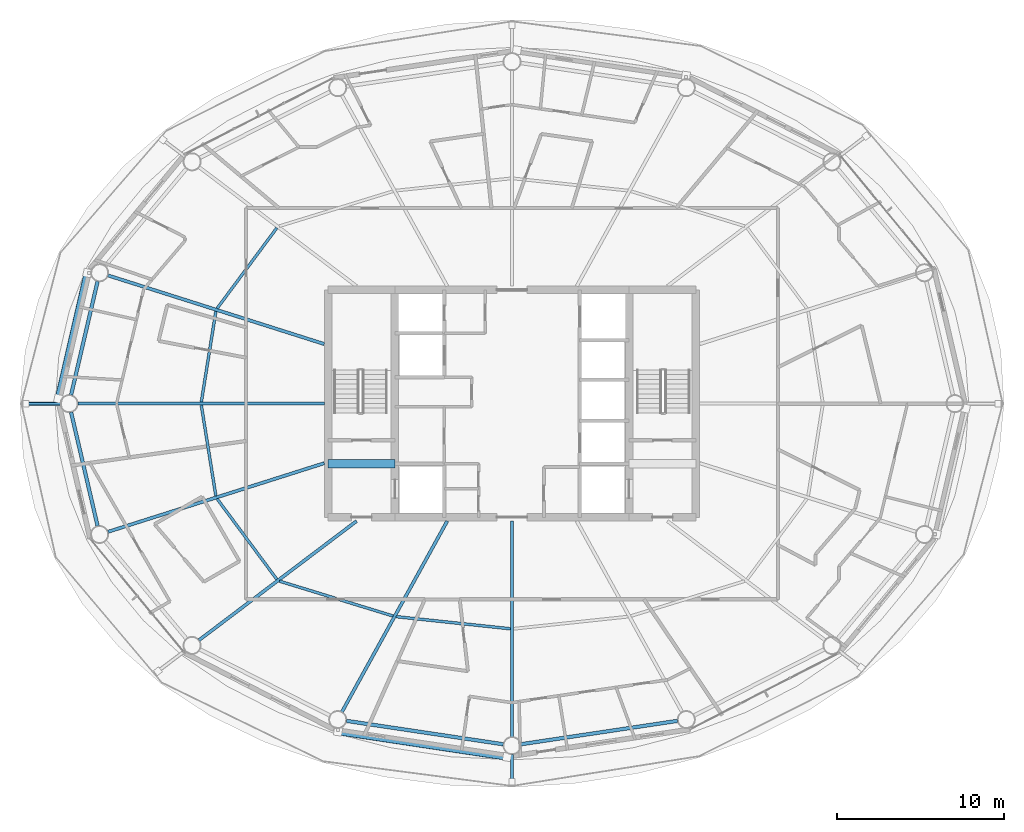
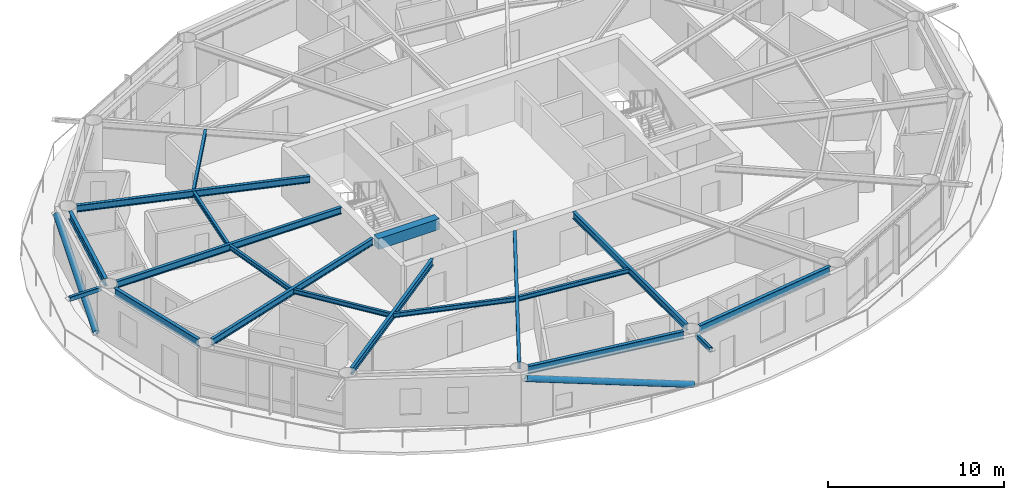
# One storey, part 4 of 28: 17 beams, 4 members.
"""IFC4 building model written with IfcOpenShell, lengths in metres."""

import ifcopenshell
import ifcopenshell.guid

model = None  # the IFC model being written
_history = None  # IfcOwnerHistory: only IFC2X3 demands one
_inside = {}  # id of a spatial element -> (the spatial element, [elements in it])
_under = {}  # id of a project, library or spatial element -> (it, [spatial elements below it])
_declared = {}  # id of a project -> (the project, [libraries it declares])
_typed = {}  # id of a type object -> (the type object, [elements of that type])
_made_of = {}  # id of a material, layer set ... -> (it, [elements and type objects made of it])


def new_model(schema):
    """Start an empty IFC model of exactly this schema.

    Asked for "IFC4X3", IfcOpenShell would pick the latest addendum, in which some entities
    have other attributes; the version numbers below select the first issue.
    IFC2X3 requires an IfcOwnerHistory on every rooted entity: one is made here for all.
    """
    global model, _history
    if schema == "IFC4X3":
        model = ifcopenshell.file(schema_version=(4, 3, 0, 0))
    else:
        model = ifcopenshell.file(schema=schema)
    _inside.clear()
    _under.clear()
    _declared.clear()
    _typed.clear()
    _made_of.clear()
    _history = None
    if model.schema == "IFC2X3":
        org = make("IfcOrganization", Name="unknown")
        user = make(
            "IfcPersonAndOrganization",
            ThePerson=make("IfcPerson", FamilyName="unknown"),
            TheOrganization=org,
        )
        app = make(
            "IfcApplication",
            ApplicationDeveloper=org,
            Version="unknown",
            ApplicationFullName="unknown",
            ApplicationIdentifier="unknown",
        )
        _history = make(
            "IfcOwnerHistory",
            OwningUser=user,
            OwningApplication=app,
            ChangeAction="ADDED",
            CreationDate=0,
        )
    return model


def make(cls, **values):
    """One entity of the class cls with the attributes given. An attribute that is None is left unset."""
    return model.create_entity(
        cls, **{name: value for name, value in values.items() if value is not None}
    )


def rooted(cls, **values):
    """An entity with a GlobalId (a new one), such as an element, a storey or a relation."""
    return make(cls, GlobalId=ifcopenshell.guid.new(), OwnerHistory=_history, **values)


def si_unit(unit_type, name, prefix=None):
    """IfcSIUnit, for example si_unit("LENGTHUNIT", "METRE", prefix="MILLI")."""
    return make("IfcSIUnit", UnitType=unit_type, Prefix=prefix, Name=name)


def assignment(units):
    """IfcUnitAssignment: the units of a project."""
    return None if units is None else make("IfcUnitAssignment", Units=units)


def point(xyz):
    """IfcCartesianPoint."""
    return None if xyz is None else make("IfcCartesianPoint", Coordinates=xyz)


def direction(xyz):
    """IfcDirection."""
    return None if xyz is None else make("IfcDirection", DirectionRatios=xyz)


def frame(location, z_axis=None, x_axis=None):
    """IfcAxis2Placement3D, a coordinate frame: its origin and axes. An axis left out is left unset."""
    return make(
        "IfcAxis2Placement3D",
        Location=point(location),
        Axis=direction(z_axis),
        RefDirection=direction(x_axis),
    )


def frame_2d(location, x_axis=None):
    """IfcAxis2Placement2D, a coordinate frame in the plane: its origin and x axis."""
    return make(
        "IfcAxis2Placement2D", Location=point(location), RefDirection=direction(x_axis)
    )


def origin():
    """The frame at (0, 0, 0) with its axes left unset."""
    return frame((0.0, 0.0, 0.0))


def origin_2d():
    """The frame at (0, 0) in the plane with its x axis left unset."""
    return frame_2d((0.0, 0.0))


def place(relative_to, where):
    """IfcLocalPlacement: puts the frame where relative to a parent placement (None: the world)."""
    return make(
        "IfcLocalPlacement", PlacementRelTo=relative_to, RelativePlacement=where
    )


def context(
    kind, dimensions, precision=None, world=None, true_north=None, identifier=None
):
    """IfcGeometricRepresentationContext, for example the 3D "Model" context."""
    return make(
        "IfcGeometricRepresentationContext",
        ContextIdentifier=identifier,
        ContextType=kind,
        CoordinateSpaceDimension=dimensions,
        Precision=precision,
        WorldCoordinateSystem=world,
        TrueNorth=true_north,
    )


def subcontext(parent, identifier, kind, view, scale=None):
    """IfcGeometricRepresentationSubContext, for example "Body" below "Model"."""
    return make(
        "IfcGeometricRepresentationSubContext",
        ContextIdentifier=identifier,
        ContextType=kind,
        ParentContext=parent,
        TargetScale=scale,
        TargetView=view,
    )


def project(units=None, contexts=None):
    """IfcProject with its units and contexts."""
    return rooted(
        "IfcProject",
        Name="project",
        RepresentationContexts=contexts,
        UnitsInContext=assignment(units),
    )


def spatial(cls, under=None, at=None, **own):
    """A site, building, storey or space (cls), placed at a placement, below another one or the project."""
    s = rooted(cls, ObjectPlacement=at, **own)
    if under is not None:
        _under.setdefault(under.id(), (under, []))[1].append(s)
    return s


def profile(cls, at=None, kind="AREA", **sizes):
    """A parametric profile (cls). Its sizes go by their IFC names, for example OverallWidth=200.0."""
    return make(cls, ProfileType=kind, Position=at, **sizes)


def rectangle(**sizes):
    """IfcRectangleProfileDef."""
    return profile("IfcRectangleProfileDef", **sizes)


def hollow_rectangle(**sizes):
    """IfcRectangleHollowProfileDef."""
    return profile("IfcRectangleHollowProfileDef", **sizes)


def hollow_circle(**sizes):
    """IfcCircleHollowProfileDef."""
    return profile("IfcCircleHollowProfileDef", **sizes)


def i_section(**sizes):
    """IfcIShapeProfileDef."""
    return profile("IfcIShapeProfileDef", **sizes)


def extrude(swept, where, along, depth):
    """IfcExtrudedAreaSolid: the profile swept, set in the frame where, extruded along a direction by depth."""
    return make(
        "IfcExtrudedAreaSolid",
        SweptArea=swept,
        Position=where,
        ExtrudedDirection=direction(along),
        Depth=depth,
    )


def shape(context_of_items, identifier, shape_type, items):
    """IfcShapeRepresentation: the items that make up one representation, for example the "Body"."""
    return make(
        "IfcShapeRepresentation",
        ContextOfItems=context_of_items,
        RepresentationIdentifier=identifier,
        RepresentationType=shape_type,
        Items=items,
    )


def material(Name=None, Category=None):
    """IfcMaterial."""
    return make("IfcMaterial", Name=Name, Category=Category)


def material_profile(
    of_material, cross_section, Name=None, Category=None, Priority=None
):
    """IfcMaterialProfile: a cross section and its material."""
    return make(
        "IfcMaterialProfile",
        Name=Name,
        Material=of_material,
        Profile=cross_section,
        Priority=Priority,
        Category=Category,
    )


def profile_set(profiles, Name=None, composite=None):
    """IfcMaterialProfileSet."""
    return make(
        "IfcMaterialProfileSet",
        Name=Name,
        MaterialProfiles=profiles,
        CompositeProfile=composite,
    )


def made_of(thing, what):
    """Note that an element or type object is made of a material, layer set ...; save() writes the relation."""
    if what is not None:
        _made_of.setdefault(what.id(), (what, []))[1].append(thing)
    return thing


def type_object(cls, material=None, **own):
    """A type object (cls), such as IfcWallType, which elements share."""
    return made_of(rooted(cls, **own), material)


def element(
    cls,
    number,
    at=None,
    inside=None,
    cuts=None,
    type_object=None,
    material=None,
    context=None,
    identifier="Body",
    shape_type=None,
    held_by="IfcProductDefinitionShape",
    body=None,
    shapes=None,
    **own,
):
    """One element of the class cls, such as IfcWall. Its Tag is "e" and its number.

    at: its placement. inside: the storey or other place that contains it. cuts: it is an
    opening in that element (IfcRelVoidsElement). A single representation is given by context,
    identifier, shape_type and body (its items); several are given by shapes. held_by: the class
    of the entity that holds the representations. save() writes the other relations.
    """
    e = rooted(cls, Tag="e%d" % number, ObjectPlacement=at, **own)
    if body is not None:
        shapes = [shape(context, identifier, shape_type, body)]
    if shapes is not None:
        e.Representation = make(held_by, Representations=shapes)
    if inside is not None:
        _inside.setdefault(inside.id(), (inside, []))[1].append(e)
    if cuts is not None:
        rooted(
            "IfcRelVoidsElement", RelatingBuildingElement=cuts, RelatedOpeningElement=e
        )
    if type_object is not None:
        _typed.setdefault(type_object.id(), (type_object, []))[1].append(e)
    return made_of(e, material)


def aggregate(whole, parts):
    """IfcRelAggregates: a whole, such as a stair, and the parts it consists of."""
    return rooted("IfcRelAggregates", RelatingObject=whole, RelatedObjects=parts)


def save(model, path):
    """Write the relations noted so far, then the file.

    IfcRelAggregates (storeys below a building ...), IfcRelContainedInSpatialStructure (elements
    in a storey), IfcRelDefinesByType, IfcRelAssociatesMaterial and IfcRelDeclares: one each for
    every whole, place, type object, material and project.
    """
    for whole, parts in _under.values():
        aggregate(whole, parts)
    for where, things in _inside.values():
        rooted(
            "IfcRelContainedInSpatialStructure",
            RelatedElements=things,
            RelatingStructure=where,
        )
    for kind, things in _typed.values():
        rooted("IfcRelDefinesByType", RelatedObjects=things, RelatingType=kind)
    for what, things in _made_of.values():
        rooted("IfcRelAssociatesMaterial", RelatedObjects=things, RelatingMaterial=what)
    for by, libraries in _declared.values():
        rooted("IfcRelDeclares", RelatingContext=by, RelatedDefinitions=libraries)
    model.write(path)


model = new_model("IFC4")

# Units and contexts
model_context = context("Model", 3, precision=1e-05, world=origin(), true_north=direction((0.0, 1.0)))
body_context = subcontext(model_context, "Body", "Model", "MODEL_VIEW")
ifc_project = project(units=[si_unit("LENGTHUNIT", "METRE"), si_unit("AREAUNIT", "SQUARE_METRE"), si_unit("VOLUMEUNIT", "CUBIC_METRE"), si_unit("PLANEANGLEUNIT", "RADIAN"), si_unit("MASSUNIT", "GRAM", prefix="KILO")], contexts=[model_context])

# Site, building, storey
site_placement = place(None, origin())
site = spatial("IfcSite", under=ifc_project, at=site_placement, CompositionType="ELEMENT")
building_placement = place(site_placement, origin())
building = spatial("IfcBuilding", under=site, at=building_placement, Name="Sarneth Arch Tower", CompositionType="ELEMENT")
storey_placement = place(building_placement, frame((0.0, 0.0, 172.199951171875)))
storey = spatial("IfcBuildingStorey", under=building, at=storey_placement, Name="L43", CompositionType="ELEMENT", Elevation=172.199951171875)

# Beams
ifc_material_1 = material(Name="Steel S355", Category="steel")
ifc_material_profile_1 = material_profile(ifc_material_1, i_section(OverallWidth=0.1669921875, OverallDepth=0.31689453125, WebThickness=0.007568359375, FlangeThickness=0.01318359375, FilletRadius=0.012939453125, at=origin_2d()), Name="W310x52")
ifc_profile_set_1 = profile_set([ifc_material_profile_1], Name="Steel S355")
beam_type_1 = type_object("IfcBeamType", Name="BM-JOIST-310B", PredefinedType="JOIST", material=ifc_profile_set_1)
beam_1_placement = place(storey_placement, frame((33.937255859375, 52.5068359375, 3.221435546875), z_axis=(-0.595933334016, -0.803033910497, 0.0), x_axis=(0.803033910497, -0.595933334016, 0.0)))
element("IfcBeam", 1, at=beam_1_placement, inside=storey, type_object=beam_type_1, Name="L43 Secondary floor joist 07", PredefinedType="JOIST", context=body_context, shape_type="SweptSolid", body=[
    extrude(i_section(OverallWidth=0.1669921875, OverallDepth=0.31689453125, WebThickness=0.007568359375, FlangeThickness=0.01318359375, FilletRadius=0.012939453125, at=origin_2d()), origin(), (0.0, 0.0, 1.0), 5.99560546875),
])
for number, where, z_axis, x_axis, name in (
    (2, (30.291259765625, 47.519287109375, 3.221435546875), (-0.158262632389, -0.987397052451, 0.0), (0.987397052451, -0.158262632389, 0.0), "L43 Secondary floor joist 08"),
    (3, (29.421875, 41.90478515625, 3.221435546875), (0.158262632389, -0.987397052451, 0.0), (0.987397052451, 0.158262632389, 0.0), "L43 Secondary floor joist 09"),
):
    element("IfcBeam", number, at=place(storey_placement, frame(where, z_axis=z_axis, x_axis=x_axis)), inside=storey, type_object=beam_type_1, Name=name, PredefinedType="JOIST", context=body_context, shape_type="SweptSolid", body=[
        extrude(i_section(OverallWidth=0.1669921875, OverallDepth=0.31689453125, WebThickness=0.007568359375, FlangeThickness=0.01318359375, FilletRadius=0.012939453125, at=origin_2d()), origin(), (0.0, 0.0, 1.0), 5.493408203125),
    ])
beam_2_placement = place(storey_placement, frame((30.3642578125, 36.307861328125, 3.221435546875), z_axis=(0.595933334016, -0.803033910497, 0.0), x_axis=(0.803033910497, 0.595933334016, 0.0)))
element("IfcBeam", 4, at=beam_2_placement, inside=storey, type_object=beam_type_1, Name="L43 Secondary floor joist 10", PredefinedType="JOIST", context=body_context, shape_type="SweptSolid", body=[
    extrude(i_section(OverallWidth=0.1669921875, OverallDepth=0.31689453125, WebThickness=0.007568359375, FlangeThickness=0.01318359375, FilletRadius=0.012939453125, at=origin_2d()), origin(), (0.0, 0.0, 1.0), 5.99560546875),
])
beam_3_placement = place(storey_placement, frame((34.087158203125, 31.38720703125, 3.221435546875), z_axis=(0.955929549608, -0.293596144707, 0.0), x_axis=(0.293596144707, 0.955929549608, 0.0)))
element("IfcBeam", 5, at=beam_3_placement, inside=storey, type_object=beam_type_1, Name="L43 Secondary floor joist 11", PredefinedType="JOIST", context=body_context, shape_type="SweptSolid", body=[
    extrude(i_section(OverallWidth=0.1669921875, OverallDepth=0.31689453125, WebThickness=0.007568359375, FlangeThickness=0.01318359375, FilletRadius=0.012939453125, at=origin_2d()), origin(), (0.0, 0.0, 1.0), 7.1123046875),
])
beam_4_placement = place(storey_placement, frame((41.07421875, 29.260498046875, 3.221435546875), z_axis=(0.994407831942, -0.105608066799, 0.0), x_axis=(0.105608066799, 0.994407831942, 0.0)))
element("IfcBeam", 6, at=beam_4_placement, inside=storey, type_object=beam_type_1, Name="L43 Secondary floor joist 12", PredefinedType="JOIST", context=body_context, shape_type="SweptSolid", body=[
    extrude(i_section(OverallWidth=0.1669921875, OverallDepth=0.31689453125, WebThickness=0.007568359375, FlangeThickness=0.01318359375, FilletRadius=0.012939453125, at=origin_2d()), origin(), (0.0, 0.0, 1.0), 6.8681640625),
])
ifc_material_2 = material(Name="Concrete C50/60", Category="concrete")
ifc_material_profile_2 = material_profile(ifc_material_2, rectangle(XDim=0.5, YDim=0.75, at=origin_2d()), Name="RC-500x750")
ifc_profile_set_2 = profile_set([ifc_material_profile_2], Name="Concrete C50/60")
beam_type_2 = type_object("IfcBeamType", Name="BM-LINTEL-RC", PredefinedType="LINTEL", material=ifc_profile_set_2)
beam_5_placement = place(storey_placement, frame((37.0, 38.39990234375, 3.005126953125), z_axis=(1.0, 0.0, 0.0), x_axis=(0.0, 1.0, 0.0)))
element("IfcBeam", 7, at=beam_5_placement, inside=storey, type_object=beam_type_2, Name="L43 Core coupling lintel W", PredefinedType="LINTEL", context=body_context, shape_type="SweptSolid", body=[
    extrude(rectangle(XDim=0.5, YDim=0.75, at=origin_2d()), origin(), (0.0, 0.0, 1.0), 4.0),
])
ifc_material_3 = material(Name="Steel S355", Category="steel")
ifc_material_profile_3 = material_profile(ifc_material_3, i_section(OverallWidth=0.193115234375, OverallDepth=0.466064453125, WebThickness=0.011474609375, FlangeThickness=0.01904296875, FilletRadius=0.01806640625, at=origin_2d()), Name="W460x97")
ifc_profile_set_3 = profile_set([ifc_material_profile_3], Name="Steel S355")
beam_type_3 = type_object("IfcBeamType", Name="BM-RAD-460C", PredefinedType="BEAM", material=ifc_profile_set_3)
beam_6_placement = place(storey_placement, frame((36.77490234375, 45.56201171875, 3.14697265625), z_axis=(-0.953163620049, 0.302455142815, 0.0), x_axis=(-0.302455142815, -0.953163620049, 0.0)))
element("IfcBeam", 8, at=beam_6_placement, inside=storey, type_object=beam_type_3, Name="L43 Radial floor girder 08", PredefinedType="BEAM", context=body_context, shape_type="SweptSolid", body=[
    extrude(i_section(OverallWidth=0.193115234375, OverallDepth=0.466064453125, WebThickness=0.011474609375, FlangeThickness=0.01904296875, FilletRadius=0.01806640625, at=origin_2d()), origin(), (0.0, 0.0, 1.0), 13.572265625),
])
beam_7_placement = place(storey_placement, frame((36.77490234375, 42.0, 3.14697265625), z_axis=(-1.0, 0.0, 0.0), x_axis=(0.0, -1.0, 0.0)))
element("IfcBeam", 9, at=beam_7_placement, inside=storey, type_object=beam_type_3, Name="L43 Radial floor girder 09", PredefinedType="BEAM", context=body_context, shape_type="SweptSolid", body=[
    extrude(i_section(OverallWidth=0.193115234375, OverallDepth=0.466064453125, WebThickness=0.011474609375, FlangeThickness=0.01904296875, FilletRadius=0.01806640625, at=origin_2d()), origin(), (0.0, 0.0, 1.0), 14.73681640625),
])
beam_8_placement = place(storey_placement, frame((36.77490234375, 38.43798828125, 3.14697265625), z_axis=(-0.953163620049, -0.302455142815, 0.0), x_axis=(0.302455142815, -0.953163620049, 0.0)))
element("IfcBeam", 10, at=beam_8_placement, inside=storey, type_object=beam_type_3, Name="L43 Radial floor girder 10", PredefinedType="BEAM", context=body_context, shape_type="SweptSolid", body=[
    extrude(i_section(OverallWidth=0.193115234375, OverallDepth=0.466064453125, WebThickness=0.011474609375, FlangeThickness=0.01904296875, FilletRadius=0.01806640625, at=origin_2d()), origin(), (0.0, 0.0, 1.0), 13.572265625),
])
beam_9_placement = place(storey_placement, frame((38.70458984375, 34.97509765625, 3.14697265625), z_axis=(-0.797786205076, -0.602940437349, 0.0), x_axis=(0.602940437349, -0.797786205076, 0.0)))
element("IfcBeam", 11, at=beam_9_placement, inside=storey, type_object=beam_type_3, Name="L43 Radial floor girder 11", PredefinedType="BEAM", context=body_context, shape_type="SweptSolid", body=[
    extrude(i_section(OverallWidth=0.193115234375, OverallDepth=0.466064453125, WebThickness=0.011474609375, FlangeThickness=0.01904296875, FilletRadius=0.01806640625, at=origin_2d()), origin(), (0.0, 0.0, 1.0), 11.806884765625),
])
beam_10_placement = place(storey_placement, frame((44.125, 34.97509765625, 3.14697265625), z_axis=(-0.483004525121, -0.87561785541, 0.0), x_axis=(0.87561785541, -0.483004525121, 0.0)))
element("IfcBeam", 12, at=beam_10_placement, inside=storey, type_object=beam_type_3, Name="L43 Radial floor girder 12", PredefinedType="BEAM", context=body_context, shape_type="SweptSolid", body=[
    extrude(i_section(OverallWidth=0.193115234375, OverallDepth=0.466064453125, WebThickness=0.011474609375, FlangeThickness=0.01904296875, FilletRadius=0.01806640625, at=origin_2d()), origin(), (0.0, 0.0, 1.0), 13.029296875),
])
beam_11_placement = place(storey_placement, frame((48.0, 34.97509765625, 3.14697265625), z_axis=(0.0, -1.0, 0.0), x_axis=(1.0, 0.0, 0.0)))
element("IfcBeam", 13, at=beam_11_placement, inside=storey, type_object=beam_type_3, Name="L43 Radial floor girder 13", PredefinedType="BEAM", context=body_context, shape_type="SweptSolid", body=[
    extrude(i_section(OverallWidth=0.193115234375, OverallDepth=0.466064453125, WebThickness=0.011474609375, FlangeThickness=0.01904296875, FilletRadius=0.01806640625, at=origin_2d()), origin(), (0.0, 0.0, 1.0), 12.900146484375),
])
ifc_material_4 = material(Name="Steel S355", Category="steel")
ifc_material_profile_4 = material_profile(ifc_material_4, i_section(OverallWidth=0.214111328125, OverallDepth=0.549072265625, WebThickness=0.0146484375, FlangeThickness=0.023681640625, FilletRadius=0.01806640625, at=origin_2d()), Name="W530x138")
ifc_profile_set_4 = profile_set([ifc_material_profile_4], Name="Steel S355")
beam_type_4 = type_object("IfcBeamType", Name="BM-RAD-530A", PredefinedType="BEAM", material=ifc_profile_set_4)
for number, where, z_axis, x_axis, name in (
    (14, (23.21875, 49.314697265625, 3.10546875), (-0.22708709918, -0.973874452579, 0.0), (0.973874452579, -0.22708709918, 0.0), "L43 Perimeter spandrel beam 08"),
    (15, (21.63232421875, 41.48876953125, 3.10546875), (0.22708709918, -0.973874452579, 0.0), (0.973874452579, 0.22708709918, 0.0), "L43 Perimeter spandrel beam 09"),
):
    element("IfcBeam", number, at=place(storey_placement, frame(where, z_axis=z_axis, x_axis=x_axis)), inside=storey, type_object=beam_type_4, Name=name, PredefinedType="BEAM", context=body_context, shape_type="SweptSolid", body=[
        extrude(i_section(OverallWidth=0.214111328125, OverallDepth=0.549072265625, WebThickness=0.0146484375, FlangeThickness=0.023681640625, FilletRadius=0.01806640625, at=origin_2d()), origin(), (0.0, 0.0, 1.0), 6.986083984375),
    ])
for number, where, z_axis, x_axis, name in (
    (16, (38.097412109375, 23.029052734375, 3.10546875), (0.989027145133, -0.14773390332, 0.0), (0.14773390332, 0.989027145133, 0.0), "L43 Perimeter spandrel beam 12"),
    (17, (48.519287109375, 21.62744140625, 3.10546875), (0.989027145133, 0.14773390332, 0.0), (-0.14773390332, 0.989027145133, 0.0), "L43 Perimeter spandrel beam 13"),
):
    element("IfcBeam", number, at=place(storey_placement, frame(where, z_axis=z_axis, x_axis=x_axis)), inside=storey, type_object=beam_type_4, Name=name, PredefinedType="BEAM", context=body_context, shape_type="SweptSolid", body=[
        extrude(i_section(OverallWidth=0.214111328125, OverallDepth=0.549072265625, WebThickness=0.0146484375, FlangeThickness=0.023681640625, FilletRadius=0.01806640625, at=origin_2d()), origin(), (0.0, 0.0, 1.0), 9.4873046875),
    ])

# Members
ifc_material_5 = material(Name="Steel S355", Category="steel")
ifc_material_profile_5 = material_profile(ifc_material_5, hollow_rectangle(XDim=0.199951171875, YDim=0.300048828125, WallThickness=0.012451171875, InnerFilletRadius=0.018798828125, OuterFilletRadius=0.03125, at=origin_2d()), Name="RHS300x200x12.5")
ifc_profile_set_5 = profile_set([ifc_material_profile_5], Name="Steel S355")
member_type_1 = type_object("IfcMemberType", Name="MEM-CANT-STRUT", PredefinedType="STRUT", material=ifc_profile_set_5)
member_1_placement = place(storey_placement, frame((20.988037109375, 42.0, 3.219970703125), z_axis=(-1.0, 0.0, 0.0), x_axis=(0.0, -1.0, 0.0)))
element("IfcMember", 18, at=member_1_placement, inside=storey, type_object=member_type_1, Name="L43 Balcony cantilever bracket 09", PredefinedType="STRUT", context=body_context, shape_type="SweptSolid", body=[
    extrude(hollow_rectangle(XDim=0.199951171875, YDim=0.300048828125, WallThickness=0.012451171875, InnerFilletRadius=0.018798828125, OuterFilletRadius=0.03125, at=origin_2d()), origin(), (0.0, 0.0, 1.0), 2.054443359375),
])
member_2_placement = place(storey_placement, frame((48.0, 21.02490234375, 3.219970703125), z_axis=(0.0, -1.0, 0.0), x_axis=(1.0, 0.0, 0.0)))
element("IfcMember", 19, at=member_2_placement, inside=storey, type_object=member_type_1, Name="L43 Balcony cantilever bracket 13", PredefinedType="STRUT", context=body_context, shape_type="SweptSolid", body=[
    extrude(hollow_rectangle(XDim=0.199951171875, YDim=0.300048828125, WallThickness=0.012451171875, InnerFilletRadius=0.018798828125, OuterFilletRadius=0.03125, at=origin_2d()), origin(), (0.0, 0.0, 1.0), 1.6455078125),
])
ifc_material_6 = material(Name="Steel S355", Category="steel")
ifc_material_profile_6 = material_profile(ifc_material_6, hollow_circle(Radius=0.202880859375, WallThickness=0.01611328125, at=origin_2d()), Name="CHS406x16")
ifc_profile_set_6 = profile_set([ifc_material_profile_6], Name="Steel S355")
member_type_2 = type_object("IfcMemberType", Name="MEM-DIAG-BR2", PredefinedType="BRACE", material=ifc_profile_set_6)
member_3_placement = place(storey_placement, frame((20.87109375, 42.292236328125, 0.02001953125), z_axis=(0.209646277215, 0.90691666474, 0.365445757488), x_axis=(-0.974306903917, 0.225224459107, 0.0)))
element("IfcMember", 20, at=member_3_placement, inside=storey, type_object=member_type_2, Name="L43 Perimeter frame diagonal 08", PredefinedType="BRACE", context=body_context, shape_type="SweptSolid", body=[
    extrude(hollow_circle(Radius=0.202880859375, WallThickness=0.01611328125, at=origin_2d()), origin(), (0.0, 0.0, 1.0), 8.292724609375),
])
member_4_placement = place(storey_placement, frame((47.703369140625, 20.86474609375, 0.02001953125), z_axis=(-0.948052912183, 0.142822782379, 0.284248708942), x_axis=(-0.148967610144, -0.988842075929, 0.0)))
element("IfcMember", 21, at=member_4_placement, inside=storey, type_object=member_type_2, Name="L43 Perimeter frame diagonal 12", PredefinedType="BRACE", context=body_context, shape_type="SweptSolid", body=[
    extrude(hollow_circle(Radius=0.202880859375, WallThickness=0.01611328125, at=origin_2d()), origin(), (0.0, 0.0, 1.0), 10.66162109375),
])

save(model, "model.ifc")
